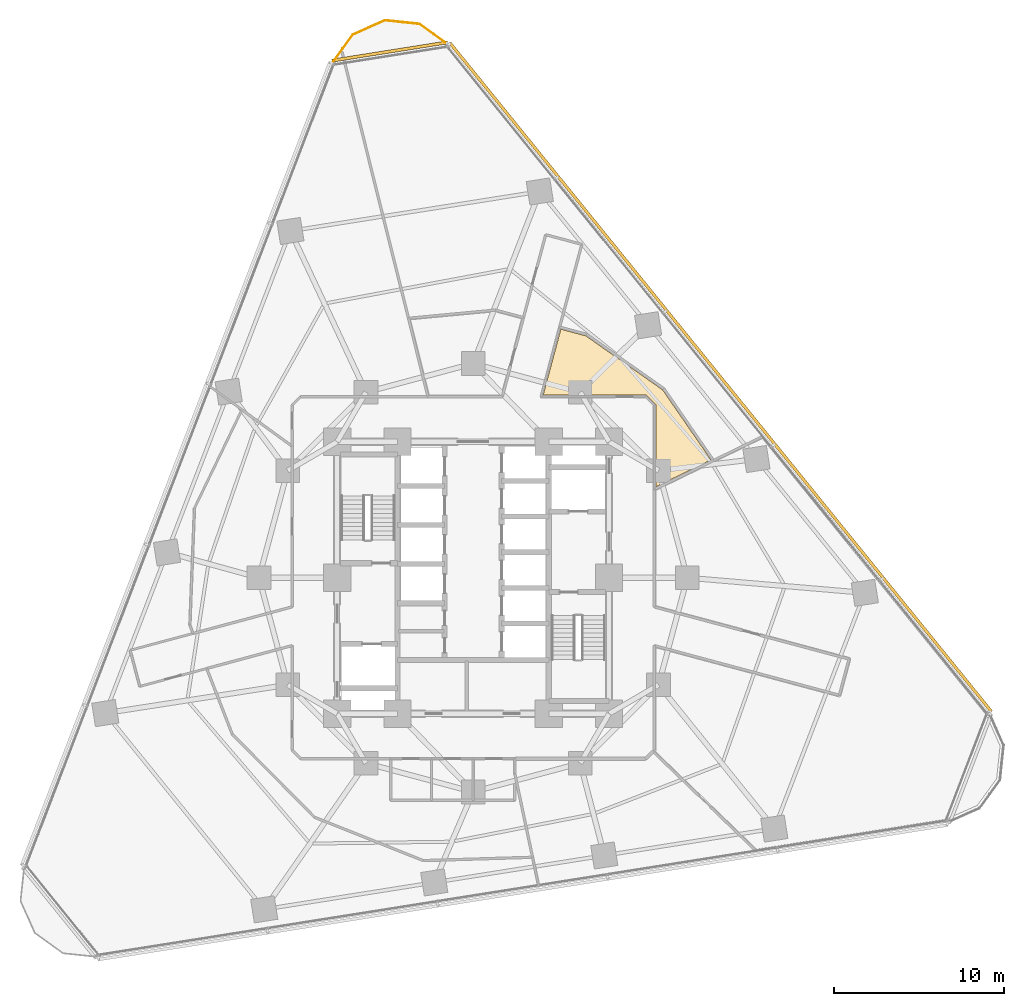
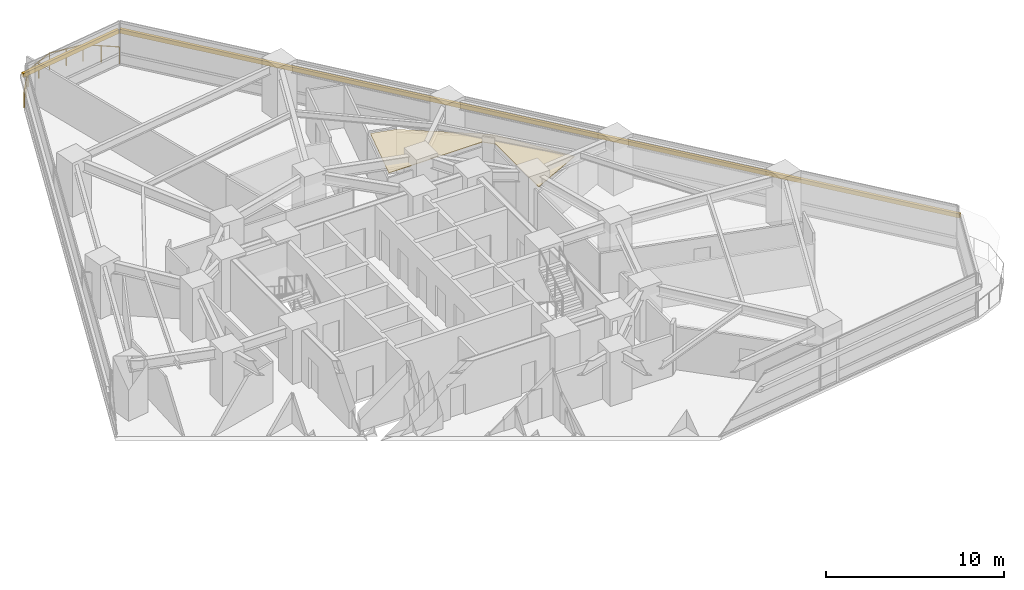
# One storey, part 14 of 14: 2 shading devices, 1 covering, 1 railing.
"""IFC4 building model written with IfcOpenShell, lengths in metres."""

from ifc_helpers import new_model, si_unit, direction, frame, origin, origin_2d, place, context, subcontext, project, spatial, polyline, rectangle, circle, outline, extrude, material, layer, layer_set, type_object, element, save


model = new_model("IFC4")

# Units and contexts
model_context = context("Model", 3, precision=1e-05, world=origin(), true_north=direction((0.0, 1.0)))
body_context = subcontext(model_context, "Body", "Model", "MODEL_VIEW")
ifc_project = project(units=[si_unit("LENGTHUNIT", "METRE"), si_unit("AREAUNIT", "SQUARE_METRE"), si_unit("VOLUMEUNIT", "CUBIC_METRE"), si_unit("PLANEANGLEUNIT", "RADIAN"), si_unit("MASSUNIT", "GRAM", prefix="KILO")], contexts=[model_context])

# Site, building, storey
site_placement = place(None, origin())
site = spatial("IfcSite", under=ifc_project, at=site_placement, CompositionType="ELEMENT")
building_placement = place(site_placement, origin())
building = spatial("IfcBuilding", under=site, at=building_placement, Name="Terralouvre Media Tower", CompositionType="ELEMENT")
storey_placement = place(building_placement, frame((0.0, 0.0, 66.699951171875)))
storey = spatial("IfcBuildingStorey", under=building, at=storey_placement, Name="L16", CompositionType="ELEMENT", Elevation=66.699951171875)

# Covering
ifc_material_1 = material(Name="Perforated aluminium acoustic ceiling baffle", Category="aluminium")
ifc_layer_1 = layer(ifc_material_1, 0.0400390625, Name="Perforated Acoustic Metal Tile Ceiling CL-AC1")
ifc_layer_set_1 = layer_set([ifc_layer_1], Name="Perforated aluminium acoustic ceiling baffle")
covering_type = type_object("IfcCoveringType", Name="Perforated Acoustic Metal Tile Ceiling CL-AC1", PredefinedType="CEILING", material=ifc_layer_set_1)
covering_placement = place(storey_placement, frame((0.0, 0.0, 2.97998046875), z_axis=(0.0, 0.0, 1.0), x_axis=(0.987688340595, 0.15643446504, 0.0)))
element("IfcCovering", 1, at=covering_placement, inside=storey, type_object=covering_type, Name="L16 Program Schedule Briefing Room 7 Acoustic Ceiling", PredefinedType="CEILING", context=body_context, shape_type="SweptSolid", body=[
    extrude(outline(polyline([(12.740478515625, 9.17138671875), (8.778076171875, 13.014892578125), (7.38330078125, 13.632568359375), (5.753173828125, 9.972900390625), (11.706787109375, 9.02978515625), (11.71630859375, 9.02783203125), (11.7255859375, 9.02490234375), (11.734619140625, 9.02099609375), (11.743408203125, 9.016357421875), (11.75146484375, 9.0107421875), (11.759033203125, 9.00439453125), (11.765869140625, 8.99755859375), (11.77197265625, 8.98974609375), (12.1875, 8.417724609375), (12.19287109375, 8.409423828125), (12.197509765625, 8.40087890625), (12.201171875, 8.391845703125), (12.203857421875, 8.38232421875), (12.205810546875, 8.372802734375), (12.20654296875, 8.363037109375), (12.20654296875, 8.35302734375), (12.20556640625, 8.34326171875), (11.455078125, 3.6064453125), (14.904296875, 4.66064453125), (12.740478515625, 9.17138671875)])), origin(), (0.0, 0.0, 1.0), 0.0400390625),
])

# Railing
ifc_material_2 = material(Name="Stainless steel 316 handrail and balustrade", Category="steel")
ifc_layer_2 = layer(ifc_material_2, 0.06005859375, Name="Roof Edge Safety Guardrail GR-ROOF1")
ifc_layer_set_2 = layer_set([ifc_layer_2], Name="Stainless steel 316 handrail and balustrade")
railing_type = type_object("IfcRailingType", Name="Roof Edge Safety Guardrail GR-ROOF1", PredefinedType="GUARDRAIL", material=ifc_layer_set_2)
railing_placement = place(storey_placement, frame((-1.47998046875, 31.36669921875, 0.0)))
element("IfcRailing", 2, at=railing_placement, inside=storey, type_object=railing_type, Name="L16 Wind-Corner Perimeter Safety Guardrail C2", PredefinedType="GUARDRAIL", context=body_context, shape_type="SweptSolid", body=[
    extrude(circle(Radius=0.02099609375, at=origin_2d()), frame((0.0, 0.0, 1.12890625), z_axis=(-0.808843708148, 0.588023686419, 0.0), x_axis=(-0.588023686419, -0.808843708148, 0.0)), (0.0, 0.0, 1.0), 2.059814453125),
    extrude(circle(Radius=0.02099609375, at=origin_2d()), frame((-1.666015625, 1.211181640625, 1.12890625), z_axis=(-0.994517140727, 0.104573690763, 0.0), x_axis=(-0.104573690763, -0.994517140727, 0.0)), (0.0, 0.0, 1.0), 2.05908203125),
    extrude(circle(Radius=0.02099609375, at=origin_2d()), frame((-3.7138671875, 1.426513671875, 1.12890625), z_axis=(-0.913542473205, -0.406743346167, 0.0), x_axis=(0.406743346167, -0.913542473205, 0.0)), (0.0, 0.0, 1.0), 2.059326171875),
    extrude(circle(Radius=0.02099609375, at=origin_2d()), frame((-5.59521484375, 0.5888671875, 1.12890625), z_axis=(-0.587544282361, -0.80919201446, 0.0), x_axis=(0.80919201446, -0.587544282361, 0.0)), (0.0, 0.0, 1.0), 2.059814453125),
    extrude(circle(Radius=0.01904296875, at=origin_2d()), origin(), (0.0, 0.0, 1.0), 1.10791015625),
    extrude(circle(Radius=0.01904296875, at=origin_2d()), frame((-0.8330078125, 0.60546875, 0.0)), (0.0, 0.0, 1.0), 1.10791015625),
    extrude(circle(Radius=0.01904296875, at=origin_2d()), frame((-1.666015625, 1.211181640625, 0.0)), (0.0, 0.0, 1.0), 1.10791015625),
    extrude(circle(Radius=0.01904296875, at=origin_2d()), frame((-2.68994140625, 1.31884765625, 0.0)), (0.0, 0.0, 1.0), 1.10791015625),
    extrude(circle(Radius=0.01904296875, at=origin_2d()), frame((-3.7138671875, 1.426513671875, 0.0)), (0.0, 0.0, 1.0), 1.10791015625),
    extrude(circle(Radius=0.01904296875, at=origin_2d()), frame((-4.654541015625, 1.0078125, 0.0)), (0.0, 0.0, 1.0), 1.10791015625),
    extrude(circle(Radius=0.01904296875, at=origin_2d()), frame((-5.59521484375, 0.5888671875, 0.0)), (0.0, 0.0, 1.0), 1.10791015625),
    extrude(circle(Radius=0.01904296875, at=origin_2d()), frame((-6.2001953125, -0.24462890625, 0.0)), (0.0, 0.0, 1.0), 1.10791015625),
    extrude(circle(Radius=0.01904296875, at=origin_2d()), frame((-6.805419921875, -1.077880859375, 0.0)), (0.0, 0.0, 1.0), 1.10791015625),
])

# Shading devices
ifc_material_3 = material(Name="Extruded terracotta baguette sunshade louvres", Category="masonry")
shading_device_type = type_object("IfcShadingDeviceType", Name="Terracotta Baguette Sunshade Louvre Screen TB-LV1", PredefinedType="USERDEFINED", material=ifc_material_3)
shading_device_1_placement = place(storey_placement, frame((14.5625, 11.79248046875, 2.02392578125), z_axis=(0.0, 0.0, 1.0), x_axis=(-0.629320350521, 0.777145994276, 0.0)))
element("IfcShadingDevice", 3, at=shading_device_1_placement, inside=storey, type_object=shading_device_type, Name="CW-L16-F1 Terracotta Baguette Sunshade Louvre", ObjectType="BAGUETTE", PredefinedType="USERDEFINED", context=body_context, shape_type="SweptSolid", body=[
    extrude(rectangle(XDim=50.639892578125, YDim=0.179931640625, at=origin_2d()), origin(), (0.0, 0.0, 1.0), 0.280029296875),
])
shading_device_2_placement = place(storey_placement, frame((-4.90380859375, 30.961181640625, 2.02392578125), z_axis=(0.0, 0.0, 1.0), x_axis=(-0.987688353034, -0.156434386502, 0.0)))
element("IfcShadingDevice", 4, at=shading_device_2_placement, inside=storey, type_object=shading_device_type, Name="CW-L16-C2 Terracotta Baguette Sunshade Louvre", ObjectType="BAGUETTE", PredefinedType="USERDEFINED", context=body_context, shape_type="SweptSolid", body=[
    extrude(rectangle(XDim=6.8935546875, YDim=0.179931640625, at=origin_2d()), origin(), (0.0, 0.0, 1.0), 0.280029296875),
])

save(model, "model.ifc")
